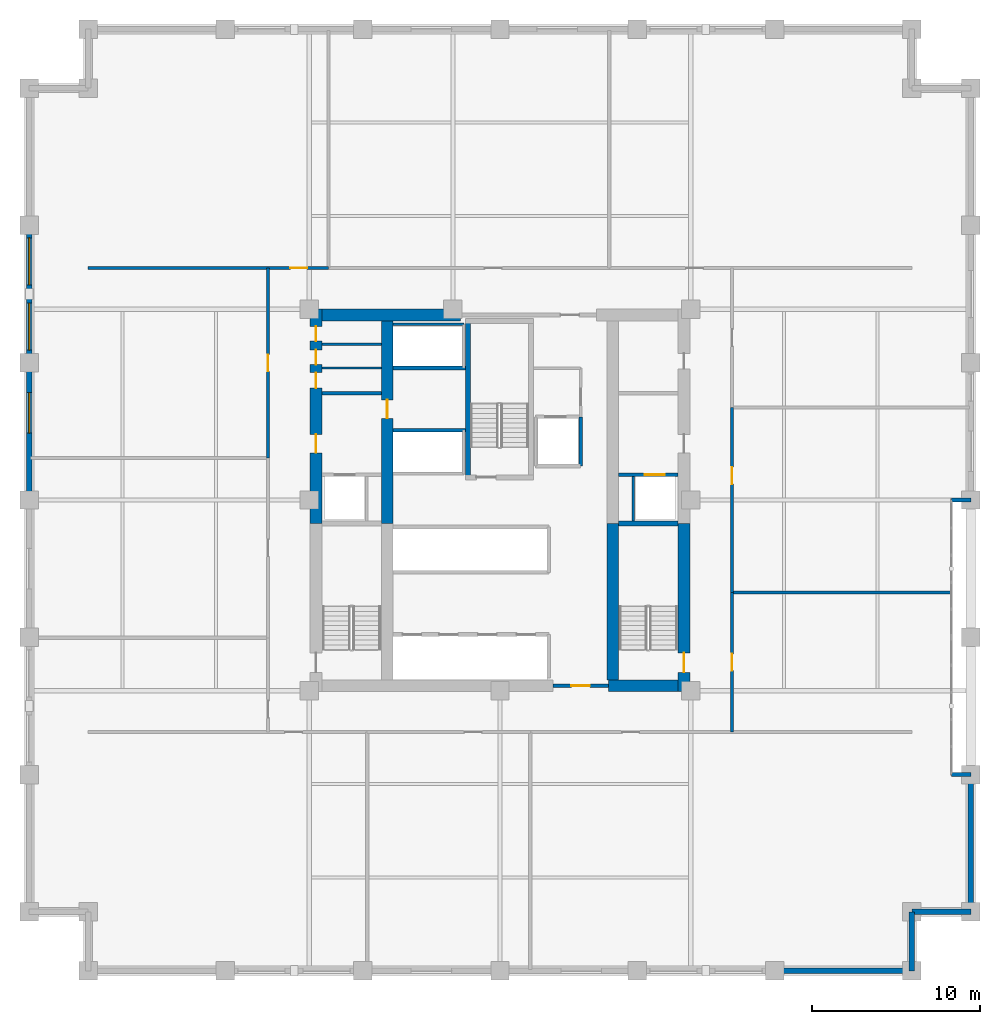
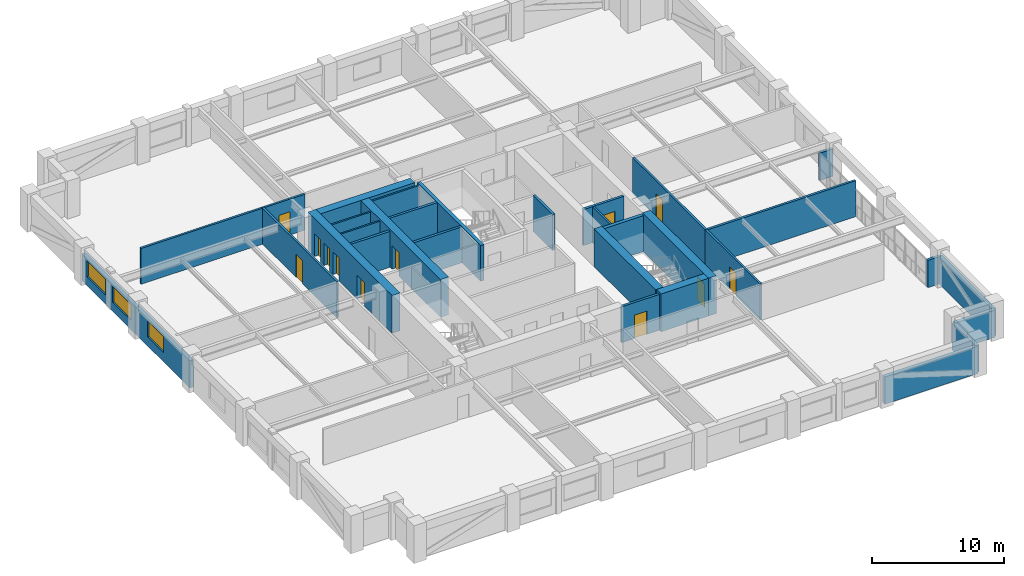
# One storey, part 5 of 10: 31 walls, 12 doors, 3 windows, 15 openings.
"""IFC4 building model written with IfcOpenShell, lengths in metres."""

from ifc_helpers import new_model, si_unit, direction, frame, frame_2d, origin, place, context, subcontext, project, spatial, rectangle, extrude, material, layer, layer_set, type_object, element, fill, save


model = new_model("IFC4")

# Units and contexts
model_context = context("Model", 3, precision=1e-05, world=origin(), true_north=direction((0.0, 1.0)))
body_context = subcontext(model_context, "Body", "Model", "MODEL_VIEW")
ifc_project = project(units=[si_unit("LENGTHUNIT", "METRE"), si_unit("AREAUNIT", "SQUARE_METRE"), si_unit("VOLUMEUNIT", "CUBIC_METRE"), si_unit("PLANEANGLEUNIT", "RADIAN"), si_unit("MASSUNIT", "GRAM", prefix="KILO")], contexts=[model_context])

# Site, building, storey
site_placement = place(None, origin())
site = spatial("IfcSite", under=ifc_project, at=site_placement, CompositionType="ELEMENT")
building_placement = place(site_placement, origin())
building = spatial("IfcBuilding", under=site, at=building_placement, Name="Nhamokura Convention Tower", CompositionType="ELEMENT")
storey_placement = place(building_placement, frame((0.0, 0.0, 89.25)))
storey = spatial("IfcBuildingStorey", under=building, at=storey_placement, Name="L21", CompositionType="ELEMENT", Elevation=89.25)

# Walls
ifc_material_1 = material(Name="Moisture-resistant tile-backer partition", Category="masonry")
ifc_layer_1 = layer(ifc_material_1, 0.139892578125)
ifc_layer_set_1 = layer_set([ifc_layer_1], Name="BathroomWetWall_140")
wall_type_1 = type_object("IfcWallType", Name="BathroomWetWall_140", PredefinedType="STANDARD", material=ifc_layer_set_1)
wall_1_placement = place(storey_placement, frame((21.409912109375, 39.85009765625, 0.0), z_axis=(0.0, 0.0, 1.0), x_axis=(1.0, 0.0, 0.0)))
element("IfcWall", 1, at=wall_1_placement, inside=storey, type_object=wall_type_1, Name="L21 Wall INT-L21-CWNW1", PredefinedType="STANDARD", context=body_context, shape_type="SweptSolid", body=[
    extrude(rectangle(XDim=3.530029296875, YDim=0.139892578125, at=frame_2d((1.76513671875, 0.0))), origin(), (0.0, 0.0, 1.0), 3.320068359375),
])
ifc_material_2 = material(Name="Bronze-pigmented precast concrete C45/55", Category="concrete")
ifc_layer_2 = layer(ifc_material_2, 0.320068359375)
ifc_layer_set_2 = layer_set([ifc_layer_2], Name="BronzePrecastSpandrel_320")
wall_type_2 = type_object("IfcWallType", Name="BronzePrecastSpandrel_320", PredefinedType="USERDEFINED", material=ifc_layer_set_2)
wall_2_placement = place(storey_placement, frame((56.5, 4.0, 0.0), z_axis=(0.0, 0.0, 1.0), x_axis=(-1.0, 0.0, 0.0)))
element("IfcWall", 2, at=wall_2_placement, inside=storey, type_object=wall_type_2, Name="L21 Braced-Bay Precast Wall SOUTH 5", ObjectType="SPANDREL_WALL", PredefinedType="USERDEFINED", context=body_context, shape_type="SweptSolid", body=[
    extrude(rectangle(XDim=8.166748046875, YDim=0.320068359375, at=frame_2d((4.08349609375, 0.0))), origin(), (0.0, 0.0, 1.0), 2.52001953125),
])

# Wall, opening, window
wall_3_placement = place(storey_placement, frame((4.0, 32.0, 0.0), z_axis=(0.0, 0.0, 1.0), x_axis=(0.0, 1.0, 0.0)))
wall_3 = element("IfcWall", 3, at=wall_3_placement, inside=storey, type_object=wall_type_2, Name="L21 Masonry-Frame Wall WEST 3", ObjectType="SPANDREL_WALL", PredefinedType="USERDEFINED", context=body_context, shape_type="SweptSolid", body=[
    extrude(rectangle(XDim=8.166748046875, YDim=0.320068359375, at=frame_2d((4.08349609375, 0.0))), origin(), (0.0, 0.0, 1.0), 2.52001953125),
])
opening_1_placement = place(wall_3_placement, frame((3.9833984375, 0.0, 0.85009765625)))
opening_1 = element("IfcOpeningElement", 4, at=opening_1_placement, cuts=wall_3, Name="Opening W-03", PredefinedType="OPENING", context=body_context, shape_type="SweptSolid", body=[
    extrude(rectangle(XDim=2.39990234375, YDim=1.469970703125, at=frame_2d((1.199951171875, 0.73486328125))), frame((0.0, 0.169921875, 0.0), z_axis=(0.0, -1.0, 0.0), x_axis=(1.0, 0.0, 0.0)), (0.0, 0.0, 1.0), 0.340087890625),
])
ifc_material_3 = material(Name="Solar-control bronze low-E double glass", Category="glass")
window_type_1 = type_object("IfcWindowType", Name="HotelBayWindow_2400", PartitioningType="DOUBLE_PANEL_VERTICAL", PredefinedType="WINDOW", material=ifc_material_3)
window_1_placement = place(opening_1_placement, origin())
window_1 = element("IfcWindow", 5, at=window_1_placement, inside=storey, type_object=window_type_1, Name="L21 Facade Window WEST 3-2", OverallHeight=1.469970703125, OverallWidth=2.39990234375, PartitioningType="SINGLE_PANEL", PredefinedType="WINDOW", context=body_context, shape_type="SweptSolid", body=[
    extrude(rectangle(XDim=2.39990234375, YDim=1.469970703125, at=frame_2d((1.199951171875, 0.73486328125))), frame((0.0, 0.030029296875, 0.0), z_axis=(0.0, -1.0, 0.0), x_axis=(1.0, 0.0, 0.0)), (0.0, 0.0, 1.0), 0.06005859375),
])
fill(opening_1, window_1)

# Wall, openings, windows
wall_4_placement = place(storey_placement, frame((4.0, 40.166748046875, 0.0), z_axis=(0.0, 0.0, 1.0), x_axis=(0.0, 1.0, 0.0)))
wall_4 = element("IfcWall", 6, at=wall_4_placement, inside=storey, type_object=wall_type_2, Name="L21 Masonry-Frame Wall WEST 4", ObjectType="SPANDREL_WALL", PredefinedType="USERDEFINED", context=body_context, shape_type="SweptSolid", body=[
    extrude(rectangle(XDim=8.16650390625, YDim=0.320068359375, at=frame_2d((4.083251953125, 0.0))), origin(), (0.0, 0.0, 1.0), 2.52001953125),
])
opening_2_placement = place(wall_4_placement, frame((0.74169921875, 0.0, 0.85009765625)))
opening_2 = element("IfcOpeningElement", 7, at=opening_2_placement, cuts=wall_4, Name="Opening W-04", PredefinedType="OPENING", context=body_context, shape_type="SweptSolid", body=[
    extrude(rectangle(XDim=2.800048828125, YDim=1.469970703125, at=frame_2d((1.39990234375, 0.73486328125))), frame((0.0, 0.169921875, 0.0), z_axis=(0.0, -1.0, 0.0), x_axis=(1.0, 0.0, 0.0)), (0.0, 0.0, 1.0), 0.340087890625),
])
opening_3_placement = place(wall_4_placement, frame((4.625, 0.0, 0.85009765625)))
opening_3 = element("IfcOpeningElement", 8, at=opening_3_placement, cuts=wall_4, Name="Opening W-04", PredefinedType="OPENING", context=body_context, shape_type="SweptSolid", body=[
    extrude(rectangle(XDim=2.800048828125, YDim=1.469970703125, at=frame_2d((1.39990234375, 0.73486328125))), frame((0.0, 0.169921875, 0.0), z_axis=(0.0, -1.0, 0.0), x_axis=(1.0, 0.0, 0.0)), (0.0, 0.0, 1.0), 0.340087890625),
])
ifc_material_4 = material(Name="Solar-control bronze low-E double glass", Category="glass")
window_type_2 = type_object("IfcWindowType", Name="HotelSuiteWindow_2800", PartitioningType="DOUBLE_PANEL_VERTICAL", PredefinedType="WINDOW", material=ifc_material_4)
window_2_placement = place(opening_2_placement, origin())
window_2 = element("IfcWindow", 9, at=window_2_placement, inside=storey, type_object=window_type_2, Name="L21 Facade Window WEST 4-1", OverallHeight=1.469970703125, OverallWidth=2.800048828125, PartitioningType="SINGLE_PANEL", PredefinedType="WINDOW", context=body_context, shape_type="SweptSolid", body=[
    extrude(rectangle(XDim=2.800048828125, YDim=1.469970703125, at=frame_2d((1.39990234375, 0.73486328125))), frame((0.0, 0.030029296875, 0.0), z_axis=(0.0, -1.0, 0.0), x_axis=(1.0, 0.0, 0.0)), (0.0, 0.0, 1.0), 0.06005859375),
])
fill(opening_2, window_2)
window_3_placement = place(opening_3_placement, origin())
window_3 = element("IfcWindow", 10, at=window_3_placement, inside=storey, type_object=window_type_2, Name="L21 Facade Window WEST 4-2", OverallHeight=1.469970703125, OverallWidth=2.800048828125, PartitioningType="SINGLE_PANEL", PredefinedType="WINDOW", context=body_context, shape_type="SweptSolid", body=[
    extrude(rectangle(XDim=2.800048828125, YDim=1.469970703125, at=frame_2d((1.39990234375, 0.73486328125))), frame((0.0, 0.030029296875, 0.0), z_axis=(0.0, -1.0, 0.0), x_axis=(1.0, 0.0, 0.0)), (0.0, 0.0, 1.0), 0.06005859375),
])
fill(opening_3, window_3)

# Walls
for number, where, z_axis, x_axis, name in (
    (11, (60.0, 15.666748046875, 0.0), (0.0, 0.0, 1.0), (-1.0, 0.0, 0.0), "L21 Scale Slot Cheek Wall EASTA"),
    (12, (60.0, 32.0, 0.0), (0.0, 0.0, 1.0), (-1.0, 0.0, 0.0), "L21 Scale Slot Cheek Wall EASTB"),
):
    element("IfcWall", number, at=place(storey_placement, frame(where, z_axis=z_axis, x_axis=x_axis)), inside=storey, type_object=wall_type_2, Name=name, ObjectType="SPANDREL_WALL", PredefinedType="USERDEFINED", context=body_context, shape_type="SweptSolid", body=[
        extrude(rectangle(XDim=1.14990234375, YDim=0.239990234375, at=frame_2d((0.574951171875, 0.0))), origin(), (0.0, 0.0, 1.0), 2.52001953125),
    ])
wall_5_placement = place(storey_placement, frame((60.0, 15.666748046875, 0.0), z_axis=(0.0, 0.0, 1.0), x_axis=(0.0, -1.0, 0.0)))
element("IfcWall", 13, at=wall_5_placement, inside=storey, type_object=wall_type_2, Name="L21 Braced-Bay Precast Wall EAST 0", ObjectType="SPANDREL_WALL", PredefinedType="USERDEFINED", context=body_context, shape_type="SweptSolid", body=[
    extrude(rectangle(XDim=8.166748046875, YDim=0.320068359375, at=frame_2d((4.08349609375, 0.0))), origin(), (0.0, 0.0, 1.0), 2.52001953125),
])
for number, where, z_axis, x_axis, name in (
    (14, (56.5, 7.5, 0.0), (0.0, 0.0, 1.0), (0.0, -1.0, 0.0), "L21 Notched Corner Wall SE1"),
    (15, (60.0, 7.5, 0.0), (0.0, 0.0, 1.0), (-1.0, 0.0, 0.0), "L21 Notched Corner Wall SE2"),
):
    element("IfcWall", number, at=place(storey_placement, frame(where, z_axis=z_axis, x_axis=x_axis)), inside=storey, type_object=wall_type_2, Name=name, ObjectType="SPANDREL_WALL", PredefinedType="USERDEFINED", context=body_context, shape_type="SweptSolid", body=[
        extrude(rectangle(XDim=3.5, YDim=0.320068359375, at=frame_2d((1.75, 0.0))), origin(), (0.0, 0.0, 1.0), 2.52001953125),
    ])

# Wall, openings, doors
ifc_material_5 = material(Name="Concrete C70/85", Category="concrete")
ifc_layer_3 = layer(ifc_material_5, 0.699951171875)
ifc_layer_set_3 = layer_set([ifc_layer_3], Name="CoreShearWall_700")
wall_type_3 = type_object("IfcWallType", Name="CoreShearWall_700", PredefinedType="SHEAR", material=ifc_layer_set_3)
wall_6_placement = place(storey_placement, frame((21.06005859375, 30.60009765625, 0.0), z_axis=(0.0, 0.0, 1.0), x_axis=(0.0, 1.0, 0.0)))
wall_6 = element("IfcWall", 16, at=wall_6_placement, inside=storey, type_object=wall_type_3, Name="L21 Core Shear Wall CW-WN", PredefinedType="SHEAR", context=body_context, shape_type="SweptSolid", body=[
    extrude(rectangle(XDim=12.75, YDim=0.699951171875, at=frame_2d((6.375, 0.0))), origin(), (0.0, 0.0, 1.0), 3.5),
])
opening_4_placement = place(wall_6_placement, frame((4.199951171875, 0.0, 0.0)))
opening_4 = element("IfcOpeningElement", 17, at=opening_4_placement, cuts=wall_6, Name="Opening D-05", PredefinedType="OPENING", context=body_context, shape_type="SweptSolid", body=[
    extrude(rectangle(XDim=1.10009765625, YDim=2.14990234375, at=frame_2d((0.550048828125, 1.074951171875))), frame((0.0, 0.35986328125, 0.0), z_axis=(0.0, -1.0, 0.0), x_axis=(1.0, 0.0, 0.0)), (0.0, 0.0, 1.0), 0.719970703125),
])
opening_5_placement = place(wall_6_placement, frame((8.050048828125, 0.0, 0.0)))
opening_5 = element("IfcOpeningElement", 18, at=opening_5_placement, cuts=wall_6, Name="Opening D-10", PredefinedType="OPENING", context=body_context, shape_type="SweptSolid", body=[
    extrude(rectangle(XDim=0.919921875, YDim=2.10009765625, at=frame_2d((0.4599609375, 1.050048828125))), frame((0.0, 0.35986328125, 0.0), z_axis=(0.0, -1.0, 0.0), x_axis=(1.0, 0.0, 0.0)), (0.0, 0.0, 1.0), 0.719970703125),
])
opening_6_placement = place(wall_6_placement, frame((9.449951171875, 0.0, 0.0)))
opening_6 = element("IfcOpeningElement", 19, at=opening_6_placement, cuts=wall_6, Name="Opening D-11", PredefinedType="OPENING", context=body_context, shape_type="SweptSolid", body=[
    extrude(rectangle(XDim=0.8798828125, YDim=2.10009765625, at=frame_2d((0.43994140625, 1.050048828125))), frame((0.0, 0.35986328125, 0.0), z_axis=(0.0, -1.0, 0.0), x_axis=(1.0, 0.0, 0.0)), (0.0, 0.0, 1.0), 0.719970703125),
])
opening_7_placement = place(wall_6_placement, frame((10.85009765625, 0.0, 0.0)))
opening_7 = element("IfcOpeningElement", 20, at=opening_7_placement, cuts=wall_6, Name="Opening D-11", PredefinedType="OPENING", context=body_context, shape_type="SweptSolid", body=[
    extrude(rectangle(XDim=0.8798828125, YDim=2.10009765625, at=frame_2d((0.43994140625, 1.050048828125))), frame((0.0, 0.35986328125, 0.0), z_axis=(0.0, -1.0, 0.0), x_axis=(1.0, 0.0, 0.0)), (0.0, 0.0, 1.0), 0.719970703125),
])
ifc_material_6 = material(Name="Solid oak hardwood", Category="wood")
door_type_1 = type_object("IfcDoorType", Name="AccessibleWCDoor_920", OperationType="NOTDEFINED", PredefinedType="DOOR", material=ifc_material_6)
door_1_placement = place(opening_5_placement, origin())
door_1 = element("IfcDoor", 21, at=door_1_placement, inside=storey, type_object=door_type_1, Name="L21 Core Door INT-L21-D-AWC", OperationType="SINGLE_SWING_LEFT", OverallHeight=2.10009765625, OverallWidth=0.919921875, PredefinedType="DOOR", context=body_context, shape_type="SweptSolid", body=[
    extrude(rectangle(XDim=0.919921875, YDim=2.10009765625, at=frame_2d((0.4599609375, 1.050048828125))), frame((0.0, 0.02490234375, 0.0), z_axis=(0.0, -1.0, 0.0), x_axis=(1.0, 0.0, 0.0)), (0.0, 0.0, 1.0), 0.050048828125),
])
fill(opening_5, door_1)
ifc_material_7 = material(Name="Solid oak hardwood", Category="wood")
door_type_2 = type_object("IfcDoorType", Name="BathroomDoor_880", OperationType="NOTDEFINED", PredefinedType="DOOR", material=ifc_material_7)
door_2_placement = place(opening_6_placement, origin())
door_2 = element("IfcDoor", 22, at=door_2_placement, inside=storey, type_object=door_type_2, Name="L21 Core Door INT-L21-D-CLN", OperationType="SINGLE_SWING_RIGHT", OverallHeight=2.10009765625, OverallWidth=0.8798828125, PredefinedType="DOOR", context=body_context, shape_type="SweptSolid", body=[
    extrude(rectangle(XDim=0.8798828125, YDim=2.10009765625, at=frame_2d((0.43994140625, 1.050048828125))), frame((0.0, 0.02490234375, 0.0), z_axis=(0.0, -1.0, 0.0), x_axis=(1.0, 0.0, 0.0)), (0.0, 0.0, 1.0), 0.050048828125),
])
fill(opening_6, door_2)
door_3_placement = place(opening_7_placement, origin())
door_3 = element("IfcDoor", 23, at=door_3_placement, inside=storey, type_object=door_type_2, Name="L21 Core Door INT-L21-D-PNT", OperationType="SINGLE_SWING_LEFT", OverallHeight=2.10009765625, OverallWidth=0.8798828125, PredefinedType="DOOR", context=body_context, shape_type="SweptSolid", body=[
    extrude(rectangle(XDim=0.8798828125, YDim=2.10009765625, at=frame_2d((0.43994140625, 1.050048828125))), frame((0.0, 0.02490234375, 0.0), z_axis=(0.0, -1.0, 0.0), x_axis=(1.0, 0.0, 0.0)), (0.0, 0.0, 1.0), 0.050048828125),
])
fill(opening_7, door_3)
ifc_material_8 = material(Name="Fire-rated steel door", Category="steel")
door_type_3 = type_object("IfcDoorType", Name="FireLobbyDoor_1100", OperationType="NOTDEFINED", PredefinedType="DOOR", material=ifc_material_8)
door_4_placement = place(opening_4_placement, origin())
door_4 = element("IfcDoor", 24, at=door_4_placement, inside=storey, type_object=door_type_3, Name="L21 Core Door INT-L21-D-FFLW", OperationType="SINGLE_SWING_RIGHT", OverallHeight=2.14990234375, OverallWidth=1.10009765625, PredefinedType="DOOR", context=body_context, shape_type="SweptSolid", body=[
    extrude(rectangle(XDim=1.10009765625, YDim=2.14990234375, at=frame_2d((0.550048828125, 1.074951171875))), frame((0.0, 0.02490234375, 0.0), z_axis=(0.0, -1.0, 0.0), x_axis=(1.0, 0.0, 0.0)), (0.0, 0.0, 1.0), 0.050048828125),
])
fill(opening_4, door_4)

# Wall, opening, door
wall_7_placement = place(storey_placement, frame((42.93994140625, 20.60009765625, 0.0), z_axis=(0.0, 0.0, 1.0), x_axis=(0.0, 1.0, 0.0)))
wall_7 = element("IfcWall", 25, at=wall_7_placement, inside=storey, type_object=wall_type_3, Name="L21 Core Shear Wall CW-ES", PredefinedType="SHEAR", context=body_context, shape_type="SweptSolid", body=[
    extrude(rectangle(XDim=10.0, YDim=0.699951171875, at=frame_2d((5.0, 0.0))), origin(), (0.0, 0.0, 1.0), 3.5),
])
opening_8_placement = place(wall_7_placement, frame((1.14990234375, 0.0, 0.0)))
opening_8 = element("IfcOpeningElement", 26, at=opening_8_placement, cuts=wall_7, Name="Opening D-04", PredefinedType="OPENING", context=body_context, shape_type="SweptSolid", body=[
    extrude(rectangle(XDim=1.14990234375, YDim=2.14990234375, at=frame_2d((0.574951171875, 1.074951171875))), frame((0.0, 0.35986328125, 0.0), z_axis=(0.0, -1.0, 0.0), x_axis=(1.0, 0.0, 0.0)), (0.0, 0.0, 1.0), 0.719970703125),
])
ifc_material_9 = material(Name="Fire-rated steel door", Category="steel")
door_type_4 = type_object("IfcDoorType", Name="StairSmokeDoor_1150", OperationType="NOTDEFINED", PredefinedType="DOOR", material=ifc_material_9)
door_5_placement = place(opening_8_placement, origin())
door_5 = element("IfcDoor", 27, at=door_5_placement, inside=storey, type_object=door_type_4, Name="L21 Core Door INT-L21-D-ST02", OperationType="SINGLE_SWING_RIGHT", OverallHeight=2.14990234375, OverallWidth=1.14990234375, PredefinedType="DOOR", context=body_context, shape_type="SweptSolid", body=[
    extrude(rectangle(XDim=1.14990234375, YDim=2.14990234375, at=frame_2d((0.574951171875, 1.074951171875))), frame((0.0, 0.02490234375, 0.0), z_axis=(0.0, -1.0, 0.0), x_axis=(1.0, 0.0, 0.0)), (0.0, 0.0, 1.0), 0.050048828125),
])
fill(opening_8, door_5)

# Walls
wall_8_placement = place(storey_placement, frame((38.449951171875, 20.949951171875, 0.0), z_axis=(0.0, 0.0, 1.0), x_axis=(1.0, 0.0, 0.0)))
element("IfcWall", 28, at=wall_8_placement, inside=storey, type_object=wall_type_3, Name="L21 Core Shear Wall CW-S2", PredefinedType="SHEAR", context=body_context, shape_type="SweptSolid", body=[
    extrude(rectangle(XDim=4.14013671875, YDim=0.699951171875, at=frame_2d((2.070068359375, 0.0))), origin(), (0.0, 0.0, 1.0), 3.5),
])
wall_9_placement = place(storey_placement, frame((21.409912109375, 43.0, 0.0), z_axis=(0.0, 0.0, 1.0), x_axis=(1.0, 0.0, 0.0)))
element("IfcWall", 29, at=wall_9_placement, inside=storey, type_object=wall_type_3, Name="L21 Core Shear Wall CW-N1", PredefinedType="SHEAR", context=body_context, shape_type="SweptSolid", body=[
    extrude(rectangle(XDim=8.239990234375, YDim=0.699951171875, at=frame_2d((4.1201171875, 0.0))), origin(), (0.0, 0.0, 1.0), 3.5),
])

# Wall, opening, door
wall_10_placement = place(storey_placement, frame((25.2900390625, 30.60009765625, 0.0), z_axis=(0.0, 0.0, 1.0), x_axis=(0.0, 1.0, 0.0)))
wall_10 = element("IfcWall", 30, at=wall_10_placement, inside=storey, type_object=wall_type_3, Name="L21 Core Shear Wall CW-IWN", PredefinedType="SHEAR", context=body_context, shape_type="SweptSolid", body=[
    extrude(rectangle(XDim=12.0498046875, YDim=0.699951171875, at=frame_2d((6.02490234375, 0.0))), origin(), (0.0, 0.0, 1.0), 3.5),
])
opening_9_placement = place(wall_10_placement, frame((6.25, 0.0, 0.0)))
opening_9 = element("IfcOpeningElement", 31, at=opening_9_placement, cuts=wall_10, Name="Opening D-05", PredefinedType="OPENING", context=body_context, shape_type="SweptSolid", body=[
    extrude(rectangle(XDim=1.10009765625, YDim=2.14990234375, at=frame_2d((0.550048828125, 1.074951171875))), frame((0.0, 0.35986328125, 0.0), z_axis=(0.0, -1.0, 0.0), x_axis=(1.0, 0.0, 0.0)), (0.0, 0.0, 1.0), 0.719970703125),
])
door_6_placement = place(opening_9_placement, origin())
door_6 = element("IfcDoor", 32, at=door_6_placement, inside=storey, type_object=door_type_3, Name="L21 Core Door INT-L21-D-B3LOB", OperationType="SINGLE_SWING_LEFT", OverallHeight=2.14990234375, OverallWidth=1.10009765625, PredefinedType="DOOR", context=body_context, shape_type="SweptSolid", body=[
    extrude(rectangle(XDim=1.10009765625, YDim=2.14990234375, at=frame_2d((0.550048828125, 1.074951171875))), frame((0.0, 0.02490234375, 0.0), z_axis=(0.0, -1.0, 0.0), x_axis=(1.0, 0.0, 0.0)), (0.0, 0.0, 1.0), 0.050048828125),
])
fill(opening_9, door_6)

# Wall
wall_11_placement = place(storey_placement, frame((38.7099609375, 21.300048828125, 0.0), z_axis=(0.0, 0.0, 1.0), x_axis=(0.0, 1.0, 0.0)))
element("IfcWall", 33, at=wall_11_placement, inside=storey, type_object=wall_type_3, Name="L21 Core Shear Wall CW-IES", PredefinedType="SHEAR", context=body_context, shape_type="SweptSolid", body=[
    extrude(rectangle(XDim=9.300048828125, YDim=0.699951171875, at=frame_2d((4.64990234375, 0.0))), origin(), (0.0, 0.0, 1.0), 3.5),
])

# Wall, opening, door
ifc_material_10 = material(Name="Fire-rated gypsum and masonry partition", Category="masonry")
ifc_layer_4 = layer(ifc_material_10, 0.179931640625)
ifc_layer_set_4 = layer_set([ifc_layer_4], Name="CorridorRatedWall_180")
wall_type_4 = type_object("IfcWallType", Name="CorridorRatedWall_180", PredefinedType="STANDARD", material=ifc_layer_set_4)
wall_12_placement = place(storey_placement, frame((7.5, 45.800048828125, 0.0), z_axis=(0.0, 0.0, 1.0), x_axis=(1.0, 0.0, 0.0)))
wall_12 = element("IfcWall", 34, at=wall_12_placement, inside=storey, type_object=wall_type_4, Name="L21 Wall INT-L21-CW-N00", PredefinedType="STANDARD", context=body_context, shape_type="SweptSolid", body=[
    extrude(rectangle(XDim=14.300048828125, YDim=0.179931640625, at=frame_2d((7.14990234375, 0.0))), origin(), (0.0, 0.0, 1.0), 3.320068359375),
])
opening_10_placement = place(wall_12_placement, frame((12.02490234375, 0.0, 0.0)))
opening_10 = element("IfcOpeningElement", 35, at=opening_10_placement, cuts=wall_12, Name="Opening D-07", PredefinedType="OPENING", context=body_context, shape_type="SweptSolid", body=[
    extrude(rectangle(XDim=1.0, YDim=2.14990234375, at=frame_2d((0.5, 1.074951171875))), frame((0.0, 0.099853515625, 0.0), z_axis=(0.0, -1.0, 0.0), x_axis=(1.0, 0.0, 0.0)), (0.0, 0.0, 1.0), 0.199951171875),
])
ifc_material_11 = material(Name="Solid oak hardwood", Category="wood")
door_type_5 = type_object("IfcDoorType", Name="HotelSuiteEntryDoor_1000", OperationType="NOTDEFINED", PredefinedType="DOOR", material=ifc_material_11)
door_7_placement = place(opening_10_placement, origin())
door_7 = element("IfcDoor", 36, at=door_7_placement, inside=storey, type_object=door_type_5, Name="L21 Conference Salon N01 Door", OperationType="SINGLE_SWING_LEFT", OverallHeight=2.14990234375, OverallWidth=1.0, PredefinedType="DOOR", context=body_context, shape_type="SweptSolid", body=[
    extrude(rectangle(XDim=1.0, YDim=2.14990234375, at=frame_2d((0.5, 1.074951171875))), frame((0.0, 0.02490234375, 0.0), z_axis=(0.0, -1.0, 0.0), x_axis=(1.0, 0.0, 0.0)), (0.0, 0.0, 1.0), 0.050048828125),
])
fill(opening_10, door_7)

wall_13_placement = place(storey_placement, frame((18.199951171875, 34.5, 0.0), z_axis=(0.0, 0.0, 1.0), x_axis=(0.0, 1.0, 0.0)))
wall_13 = element("IfcWall", 37, at=wall_13_placement, inside=storey, type_object=wall_type_4, Name="L21 Wall INT-L21-CW-W02", PredefinedType="STANDARD", context=body_context, shape_type="SweptSolid", body=[
    extrude(rectangle(XDim=11.300048828125, YDim=0.179931640625, at=frame_2d((5.64990234375, 0.0))), origin(), (0.0, 0.0, 1.0), 3.320068359375),
])
opening_11_placement = place(wall_13_placement, frame((5.14990234375, 0.0, 0.0)))
opening_11 = element("IfcOpeningElement", 38, at=opening_11_placement, cuts=wall_13, Name="Opening D-07", PredefinedType="OPENING", context=body_context, shape_type="SweptSolid", body=[
    extrude(rectangle(XDim=1.0, YDim=2.14990234375, at=frame_2d((0.5, 1.074951171875))), frame((0.0, 0.099853515625, 0.0), z_axis=(0.0, -1.0, 0.0), x_axis=(1.0, 0.0, 0.0)), (0.0, 0.0, 1.0), 0.199951171875),
])
door_8_placement = place(opening_11_placement, origin())
door_8 = element("IfcDoor", 39, at=door_8_placement, inside=storey, type_object=door_type_5, Name="L21 Meeting Room W03 Door", OperationType="SINGLE_SWING_LEFT", OverallHeight=2.14990234375, OverallWidth=1.0, PredefinedType="DOOR", context=body_context, shape_type="SweptSolid", body=[
    extrude(rectangle(XDim=1.0, YDim=2.14990234375, at=frame_2d((0.5, 1.074951171875))), frame((0.0, 0.02490234375, 0.0), z_axis=(0.0, -1.0, 0.0), x_axis=(1.0, 0.0, 0.0)), (0.0, 0.0, 1.0), 0.050048828125),
])
fill(opening_11, door_8)

wall_14_placement = place(storey_placement, frame((45.800048828125, 18.199951171875, 0.0), z_axis=(0.0, 0.0, 1.0), x_axis=(0.0, 1.0, 0.0)))
wall_14 = element("IfcWall", 40, at=wall_14_placement, inside=storey, type_object=wall_type_4, Name="L21 Wall INT-L21-CW-E00", PredefinedType="STANDARD", context=body_context, shape_type="SweptSolid", body=[
    extrude(rectangle(XDim=8.300048828125, YDim=0.179931640625, at=frame_2d((4.14990234375, 0.0))), origin(), (0.0, 0.0, 1.0), 3.320068359375),
])
opening_12_placement = place(wall_14_placement, frame((3.64990234375, 0.0, 0.0)))
opening_12 = element("IfcOpeningElement", 41, at=opening_12_placement, cuts=wall_14, Name="Opening D-07", PredefinedType="OPENING", context=body_context, shape_type="SweptSolid", body=[
    extrude(rectangle(XDim=1.0, YDim=2.14990234375, at=frame_2d((0.5, 1.074951171875))), frame((0.0, 0.099853515625, 0.0), z_axis=(0.0, -1.0, 0.0), x_axis=(1.0, 0.0, 0.0)), (0.0, 0.0, 1.0), 0.199951171875),
])
door_9_placement = place(opening_12_placement, origin())
door_9 = element("IfcDoor", 42, at=door_9_placement, inside=storey, type_object=door_type_5, Name="L21 Pantry E01 Door", OperationType="SINGLE_SWING_LEFT", OverallHeight=2.14990234375, OverallWidth=1.0, PredefinedType="DOOR", context=body_context, shape_type="SweptSolid", body=[
    extrude(rectangle(XDim=1.0, YDim=2.14990234375, at=frame_2d((0.5, 1.074951171875))), frame((0.0, 0.02490234375, 0.0), z_axis=(0.0, -1.0, 0.0), x_axis=(1.0, 0.0, 0.0)), (0.0, 0.0, 1.0), 0.050048828125),
])
fill(opening_12, door_9)

wall_15_placement = place(storey_placement, frame((45.800048828125, 26.5, 0.0), z_axis=(0.0, 0.0, 1.0), x_axis=(0.0, 1.0, 0.0)))
wall_15 = element("IfcWall", 43, at=wall_15_placement, inside=storey, type_object=wall_type_4, Name="L21 Wall INT-L21-CW-E01", PredefinedType="STANDARD", context=body_context, shape_type="SweptSolid", body=[
    extrude(rectangle(XDim=11.0, YDim=0.179931640625, at=frame_2d((5.5, 0.0))), origin(), (0.0, 0.0, 1.0), 3.320068359375),
])
opening_13_placement = place(wall_15_placement, frame((6.449951171875, 0.0, 0.0)))
opening_13 = element("IfcOpeningElement", 44, at=opening_13_placement, cuts=wall_15, Name="Opening D-07", PredefinedType="OPENING", context=body_context, shape_type="SweptSolid", body=[
    extrude(rectangle(XDim=1.0, YDim=2.14990234375, at=frame_2d((0.5, 1.074951171875))), frame((0.0, 0.099853515625, 0.0), z_axis=(0.0, -1.0, 0.0), x_axis=(1.0, 0.0, 0.0)), (0.0, 0.0, 1.0), 0.199951171875),
])
door_10_placement = place(opening_13_placement, origin())
door_10 = element("IfcDoor", 45, at=door_10_placement, inside=storey, type_object=door_type_5, Name="L21 Housekeeping Store E02 Door", OperationType="SINGLE_SWING_RIGHT", OverallHeight=2.14990234375, OverallWidth=1.0, PredefinedType="DOOR", context=body_context, shape_type="SweptSolid", body=[
    extrude(rectangle(XDim=1.0, YDim=2.14990234375, at=frame_2d((0.5, 1.074951171875))), frame((0.0, 0.02490234375, 0.0), z_axis=(0.0, -1.0, 0.0), x_axis=(1.0, 0.0, 0.0)), (0.0, 0.0, 1.0), 0.050048828125),
])
fill(opening_13, door_10)

ifc_material_12 = material(Name="Autoclaved concrete blockwork", Category="masonry")
ifc_layer_5 = layer(ifc_material_12, 0.219970703125)
ifc_layer_set_5 = layer_set([ifc_layer_5], Name="FireLobbyWall_220")
wall_type_5 = type_object("IfcWallType", Name="FireLobbyWall_220", PredefinedType="STANDARD", material=ifc_layer_set_5)
wall_16_placement = place(storey_placement, frame((39.06005859375, 33.5, 0.0), z_axis=(0.0, 0.0, 1.0), x_axis=(1.0, 0.0, 0.0)))
wall_16 = element("IfcWall", 46, at=wall_16_placement, inside=storey, type_object=wall_type_5, Name="L21 Wall INT-L21-FFE-S", PredefinedType="STANDARD", context=body_context, shape_type="SweptSolid", body=[
    extrude(rectangle(XDim=3.530029296875, YDim=0.219970703125, at=frame_2d((1.76513671875, 0.0))), origin(), (0.0, 0.0, 1.0), 3.320068359375),
])
opening_14_placement = place(wall_16_placement, frame((1.550048828125, 0.0, 0.0)))
opening_14 = element("IfcOpeningElement", 47, at=opening_14_placement, cuts=wall_16, Name="Opening LD-02", PredefinedType="OPENING", context=body_context, shape_type="SweptSolid", body=[
    extrude(rectangle(XDim=1.199951171875, YDim=2.199951171875, at=frame_2d((0.60009765625, 1.10009765625))), frame((0.0, 0.119873046875, 0.0), z_axis=(0.0, -1.0, 0.0), x_axis=(1.0, 0.0, 0.0)), (0.0, 0.0, 1.0), 0.239990234375),
])
ifc_material_13 = material(Name="Anodised bronze stainless steel", Category="steel")
door_type_6 = type_object("IfcDoorType", Name="LiftLandingDoor_FireService", OperationType="DOUBLE_DOOR_SLIDING", PredefinedType="DOOR", material=ifc_material_13)
door_11_placement = place(opening_14_placement, origin())
door_11 = element("IfcDoor", 48, at=door_11_placement, inside=storey, type_object=door_type_6, Name="L21 Firefighting Lift LF-02 Door", OperationType="DOUBLE_DOOR_SLIDING", OverallHeight=2.199951171875, OverallWidth=1.199951171875, PredefinedType="DOOR", context=body_context, shape_type="SweptSolid", body=[
    extrude(rectangle(XDim=1.199951171875, YDim=2.199951171875, at=frame_2d((0.60009765625, 1.10009765625))), frame((0.0, 0.02490234375, 0.0), z_axis=(0.0, -1.0, 0.0), x_axis=(1.0, 0.0, 0.0)), (0.0, 0.0, 1.0), 0.050048828125),
])
fill(opening_14, door_11)

# Wall
wall_17_placement = place(storey_placement, frame((21.409912109375, 38.35009765625, 0.0), z_axis=(0.0, 0.0, 1.0), x_axis=(1.0, 0.0, 0.0)))
element("IfcWall", 49, at=wall_17_placement, inside=storey, type_object=wall_type_5, Name="L21 Wall INT-L21-FFW-N", PredefinedType="STANDARD", context=body_context, shape_type="SweptSolid", body=[
    extrude(rectangle(XDim=3.530029296875, YDim=0.219970703125, at=frame_2d((1.76513671875, 0.0))), origin(), (0.0, 0.0, 1.0), 3.320068359375),
])

# Wall, opening, door
wall_18_placement = place(storey_placement, frame((35.14990234375, 20.949951171875, 0.0), z_axis=(0.0, 0.0, 1.0), x_axis=(1.0, 0.0, 0.0)))
wall_18 = element("IfcWall", 50, at=wall_18_placement, inside=storey, type_object=wall_type_5, Name="L21 Wall INT-L21-SPORT-S", PredefinedType="STANDARD", context=body_context, shape_type="SweptSolid", body=[
    extrude(rectangle(XDim=3.300048828125, YDim=0.219970703125, at=frame_2d((1.64990234375, 0.0))), origin(), (0.0, 0.0, 1.0), 3.320068359375),
])
opening_15_placement = place(wall_18_placement, frame((1.10009765625, 0.0, 0.0)))
opening_15 = element("IfcOpeningElement", 51, at=opening_15_placement, cuts=wall_18, Name="Opening D-05", PredefinedType="OPENING", context=body_context, shape_type="SweptSolid", body=[
    extrude(rectangle(XDim=1.10009765625, YDim=2.14990234375, at=frame_2d((0.550048828125, 1.074951171875))), frame((0.0, 0.119873046875, 0.0), z_axis=(0.0, -1.0, 0.0), x_axis=(1.0, 0.0, 0.0)), (0.0, 0.0, 1.0), 0.239990234375),
])
door_12_placement = place(opening_15_placement, origin())
door_12 = element("IfcDoor", 52, at=door_12_placement, inside=storey, type_object=door_type_3, Name="L21 South Core Lobby Portal Door", OperationType="SINGLE_SWING_LEFT", OverallHeight=2.14990234375, OverallWidth=1.10009765625, PredefinedType="DOOR", context=body_context, shape_type="SweptSolid", body=[
    extrude(rectangle(XDim=1.10009765625, YDim=2.14990234375, at=frame_2d((0.550048828125, 1.074951171875))), frame((0.0, 0.02490234375, 0.0), z_axis=(0.0, -1.0, 0.0), x_axis=(1.0, 0.0, 0.0)), (0.0, 0.0, 1.0), 0.050048828125),
])
fill(opening_15, door_12)

# Walls
for number, where, z_axis, x_axis, name in (
    (53, (25.64990234375, 36.14990234375, 0.0), (0.0, 0.0, 1.0), (1.0, 0.0, 0.0), "L21 Wall INT-L21-B3S"),
    (54, (25.64990234375, 39.85009765625, 0.0), (0.0, 0.0, 1.0), (1.0, 0.0, 0.0), "L21 Wall INT-L21-B3N"),
):
    element("IfcWall", number, at=place(storey_placement, frame(where, z_axis=z_axis, x_axis=x_axis)), inside=storey, type_object=wall_type_5, Name=name, PredefinedType="STANDARD", context=body_context, shape_type="SweptSolid", body=[
        extrude(rectangle(XDim=4.300048828125, YDim=0.219970703125, at=frame_2d((2.14990234375, 0.0))), origin(), (0.0, 0.0, 1.0), 3.320068359375),
    ])
wall_19_placement = place(storey_placement, frame((36.800048828125, 34.02001953125, 0.0), z_axis=(0.0, 0.0, 1.0), x_axis=(0.0, 1.0, 0.0)))
element("IfcWall", 55, at=wall_19_placement, inside=storey, type_object=wall_type_5, Name="L21 Wall INT-L21-LSE", PredefinedType="STANDARD", context=body_context, shape_type="SweptSolid", body=[
    extrude(rectangle(XDim=2.929931640625, YDim=0.219970703125, at=frame_2d((1.46484375, 0.0))), origin(), (0.0, 0.0, 1.0), 3.320068359375),
])
ifc_material_14 = material(Name="Acoustic twin-stud gypsum partition", Category="masonry")
ifc_layer_6 = layer(ifc_material_14, 0.199951171875)
ifc_layer_set_6 = layer_set([ifc_layer_6], Name="HotelDemisingWall_200")
wall_type_6 = type_object("IfcWallType", Name="HotelDemisingWall_200", PredefinedType="STANDARD", material=ifc_layer_set_6)
wall_20_placement = place(storey_placement, frame((45.800048828125, 26.5, 0.0), z_axis=(0.0, 0.0, 1.0), x_axis=(1.0, 0.0, 0.0)))
element("IfcWall", 56, at=wall_20_placement, inside=storey, type_object=wall_type_6, Name="L21 Wall INT-L21-RW-E01", PredefinedType="STANDARD", context=body_context, shape_type="SweptSolid", body=[
    extrude(rectangle(XDim=13.0400390625, YDim=0.199951171875, at=frame_2d((6.52001953125, 0.0))), origin(), (0.0, 0.0, 1.0), 3.320068359375),
])
ifc_material_15 = material(Name="Acoustic gypsum stud partition", Category="masonry")
ifc_layer_7 = layer(ifc_material_15, 0.14990234375)
ifc_layer_set_7 = layer_set([ifc_layer_7], Name="InteriorPartition_150")
wall_type_7 = type_object("IfcWallType", Name="InteriorPartition_150", PredefinedType="STANDARD", material=ifc_layer_set_7)
wall_21_placement = place(storey_placement, frame((39.919921875, 30.75, 0.0), z_axis=(0.0, 0.0, 1.0), x_axis=(0.0, 1.0, 0.0)))
element("IfcWall", 57, at=wall_21_placement, inside=storey, type_object=wall_type_7, Name="L21 Wall INT-L21-FF2-W", PredefinedType="STANDARD", context=body_context, shape_type="SweptSolid", body=[
    extrude(rectangle(XDim=2.64990234375, YDim=0.14990234375, at=frame_2d((1.324951171875, 0.0))), origin(), (0.0, 0.0, 1.0), 3.320068359375),
])
wall_22_placement = place(storey_placement, frame((21.409912109375, 41.25, 0.0), z_axis=(0.0, 0.0, 1.0), x_axis=(1.0, 0.0, 0.0)))
element("IfcWall", 58, at=wall_22_placement, inside=storey, type_object=wall_type_7, Name="L21 Wall INT-L21-CWNW2", PredefinedType="STANDARD", context=body_context, shape_type="SweptSolid", body=[
    extrude(rectangle(XDim=3.530029296875, YDim=0.14990234375, at=frame_2d((1.76513671875, 0.0))), origin(), (0.0, 0.0, 1.0), 3.320068359375),
])
wall_23_placement = place(storey_placement, frame((25.64990234375, 42.449951171875, 0.0), z_axis=(0.0, 0.0, 1.0), x_axis=(1.0, 0.0, 0.0)))
element("IfcWall", 59, at=wall_23_placement, inside=storey, type_object=wall_type_7, Name="L21 Wall INT-L21-B3B-N", PredefinedType="STANDARD", context=body_context, shape_type="SweptSolid", body=[
    extrude(rectangle(XDim=4.2001953125, YDim=0.14990234375, at=frame_2d((2.10009765625, 0.0))), origin(), (0.0, 0.0, 1.0), 3.320068359375),
])
ifc_material_16 = material(Name="Concrete C50/60", Category="concrete")
ifc_layer_8 = layer(ifc_material_16, 0.300048828125)
ifc_layer_set_8 = layer_set([ifc_layer_8], Name="ShaftEnclosureWall_300")
wall_type_8 = type_object("IfcWallType", Name="ShaftEnclosureWall_300", PredefinedType="SHEAR", material=ifc_layer_set_8)
wall_24_placement = place(storey_placement, frame((39.06005859375, 30.60009765625, 0.0), z_axis=(0.0, 0.0, 1.0), x_axis=(1.0, 0.0, 0.0)))
element("IfcWall", 60, at=wall_24_placement, inside=storey, type_object=wall_type_8, Name="L21 Wall INT-L21-ST02-N", PredefinedType="SHEAR", context=body_context, shape_type="SweptSolid", body=[
    extrude(rectangle(XDim=3.530029296875, YDim=0.300048828125, at=frame_2d((1.76513671875, 0.0))), origin(), (0.0, 0.0, 1.0), 3.320068359375),
])
wall_25_placement = place(storey_placement, frame((30.10009765625, 33.199951171875, 0.0), z_axis=(0.0, 0.0, 1.0), x_axis=(0.0, 1.0, 0.0)))
element("IfcWall", 61, at=wall_25_placement, inside=storey, type_object=wall_type_8, Name="L21 Wall INT-L21-ST03W", PredefinedType="SHEAR", context=body_context, shape_type="SweptSolid", body=[
    extrude(rectangle(XDim=9.60009765625, YDim=0.300048828125, at=frame_2d((4.800048828125, 0.0))), origin(), (0.0, 0.0, 1.0), 3.320068359375),
])

save(model, "model.ifc")
